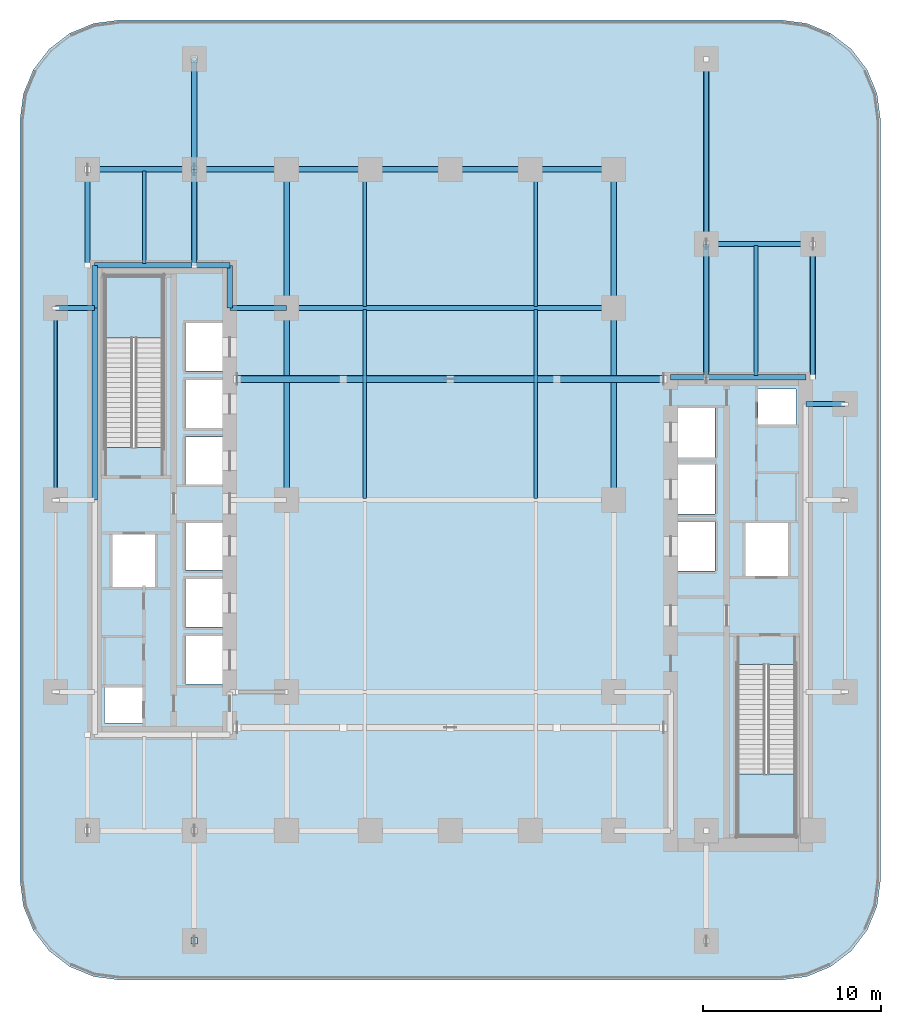
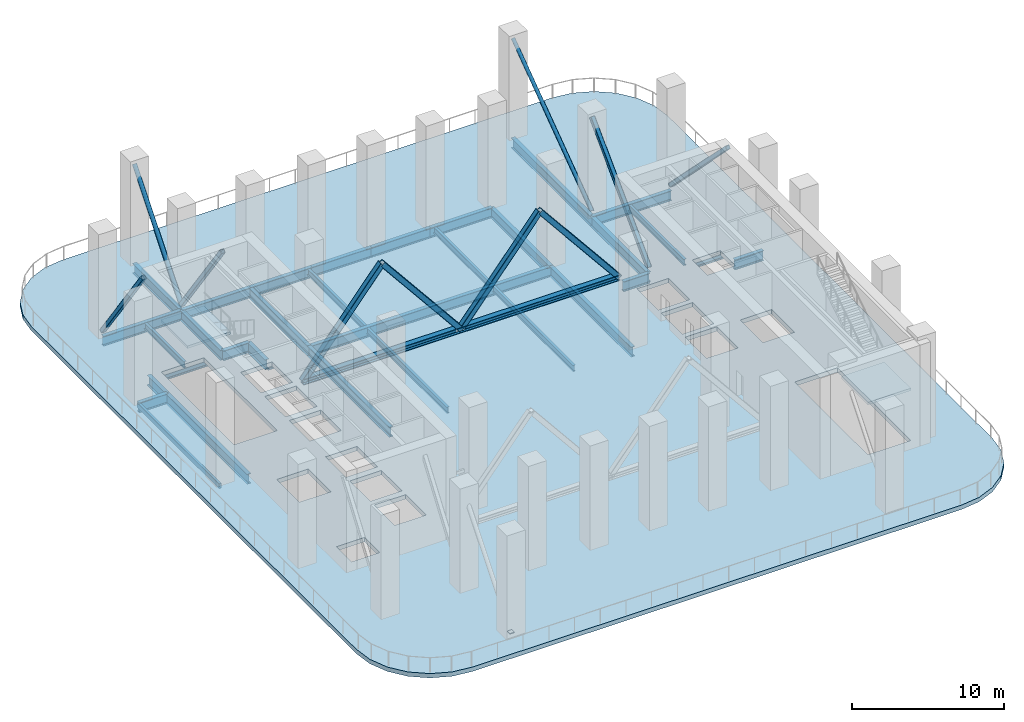
# One storey, part 2 of 13: 33 beams, 11 members, 3 slabs, 1 plate, 2 elements without a shape of their own.
"""IFC4 building model written with IfcOpenShell, lengths in metres."""

from ifc_helpers import new_model, si_unit, direction, frame, origin, origin_2d, place, context, subcontext, project, spatial, polyline, rectangle, hollow_rectangle, hollow_circle, i_section, outline, extrude, material, layer, layer_set, material_profile, profile_set, type_object, element, aggregate, save


model = new_model("IFC4")

# Units and contexts
model_context = context("Model", 3, precision=1e-05, world=origin(), true_north=direction((0.0, 1.0)))
body_context = subcontext(model_context, "Body", "Model", "MODEL_VIEW")
ifc_project = project(units=[si_unit("LENGTHUNIT", "METRE"), si_unit("AREAUNIT", "SQUARE_METRE"), si_unit("VOLUMEUNIT", "CUBIC_METRE"), si_unit("PLANEANGLEUNIT", "RADIAN"), si_unit("MASSUNIT", "GRAM", prefix="KILO")], contexts=[model_context])

# Site, building, storey
site_placement = place(None, origin())
site = spatial("IfcSite", under=ifc_project, at=site_placement, CompositionType="ELEMENT")
building_placement = place(site_placement, origin())
building = spatial("IfcBuilding", under=site, at=building_placement, Name="Khairoan Windgate Tower", CompositionType="ELEMENT")
storey_placement = place(building_placement, frame((0.0, 0.0, 84.800048828125)))
storey = spatial("IfcBuildingStorey", under=building, at=storey_placement, Name="L20", CompositionType="ELEMENT", Elevation=84.800048828125)

# Beams
ifc_material_1 = material(Name="Steel S355", Category="steel")
ifc_material_profile_1 = material_profile(ifc_material_1, i_section(OverallWidth=0.300048828125, OverallDepth=0.800048828125, WebThickness=0.013916015625, FlangeThickness=0.02587890625, FilletRadius=0.028076171875, at=origin_2d()))
ifc_profile_set_1 = profile_set([ifc_material_profile_1], Name="Steel S355")
beam_type_1 = type_object("IfcBeamType", Name="Beam B-G2 H800x300x14x26", PredefinedType="BEAM", material=ifc_profile_set_1)
beam_1_placement = place(storey_placement, frame((20.0, 5.39990234375, -0.75), z_axis=(1.0, 0.0, 0.0), x_axis=(0.0, 1.0, 0.0)))
element("IfcBeam", 1, at=beam_1_placement, inside=storey, type_object=beam_type_1, Name="L20 E-W Primary Girder 19", PredefinedType="BEAM", context=body_context, shape_type="SweptSolid", body=[
    extrude(i_section(OverallWidth=0.300048828125, OverallDepth=0.800048828125, WebThickness=0.013916015625, FlangeThickness=0.02587890625, FilletRadius=0.028076171875, at=origin_2d()), origin(), (0.0, 0.0, 1.0), 2.199951171875),
])
beam_2_placement = place(storey_placement, frame((12.39990234375, 6.89990234375, -0.75), z_axis=(1.0, 0.0, 0.0), x_axis=(0.0, 1.0, 0.0)))
element("IfcBeam", 2, at=beam_2_placement, inside=storey, type_object=beam_type_1, Name="L20 E-W Primary Girder 20", PredefinedType="BEAM", context=body_context, shape_type="SweptSolid", body=[
    extrude(i_section(OverallWidth=0.300048828125, OverallDepth=0.800048828125, WebThickness=0.013916015625, FlangeThickness=0.02587890625, FilletRadius=0.028076171875, at=origin_2d()), origin(), (0.0, 0.0, 1.0), 2.0),
])
beam_3_placement = place(storey_placement, frame((14.39990234375, 6.89990234375, -0.75), z_axis=(1.0, 0.0, 0.0), x_axis=(0.0, 1.0, 0.0)))
element("IfcBeam", 3, at=beam_3_placement, inside=storey, type_object=beam_type_1, Name="L20 E-W Primary Girder 21", PredefinedType="BEAM", context=body_context, shape_type="SweptSolid", body=[
    extrude(i_section(OverallWidth=0.300048828125, OverallDepth=0.800048828125, WebThickness=0.013916015625, FlangeThickness=0.02587890625, FilletRadius=0.028076171875, at=origin_2d()), origin(), (0.0, 0.0, 1.0), 5.60009765625),
])
beam_4_placement = place(storey_placement, frame((-22.199951171875, 10.800048828125, -0.75), z_axis=(1.0, 0.0, 0.0), x_axis=(0.0, 1.0, 0.0)))
element("IfcBeam", 4, at=beam_4_placement, inside=storey, type_object=beam_type_1, Name="L20 E-W Primary Girder 22", PredefinedType="BEAM", context=body_context, shape_type="SweptSolid", body=[
    extrude(i_section(OverallWidth=0.300048828125, OverallDepth=0.800048828125, WebThickness=0.013916015625, FlangeThickness=0.02587890625, FilletRadius=0.028076171875, at=origin_2d()), origin(), (0.0, 0.0, 1.0), 2.199951171875),
])
beam_5_placement = place(storey_placement, frame((-12.39990234375, 10.800048828125, -0.75), z_axis=(1.0, 0.0, 0.0), x_axis=(0.0, 1.0, 0.0)))
element("IfcBeam", 5, at=beam_5_placement, inside=storey, type_object=beam_type_1, Name="L20 E-W Primary Girder 23", PredefinedType="BEAM", context=body_context, shape_type="SweptSolid", body=[
    extrude(i_section(OverallWidth=0.300048828125, OverallDepth=0.800048828125, WebThickness=0.013916015625, FlangeThickness=0.02587890625, FilletRadius=0.028076171875, at=origin_2d()), origin(), (0.0, 0.0, 1.0), 3.199951171875),
])
beam_6_placement = place(storey_placement, frame((-9.199951171875, 10.800048828125, -0.75), z_axis=(1.0, 0.0, 0.0), x_axis=(0.0, 1.0, 0.0)))
element("IfcBeam", 6, at=beam_6_placement, inside=storey, type_object=beam_type_1, Name="L20 E-W Primary Girder 24", PredefinedType="BEAM", context=body_context, shape_type="SweptSolid", body=[
    extrude(i_section(OverallWidth=0.300048828125, OverallDepth=0.800048828125, WebThickness=0.013916015625, FlangeThickness=0.02587890625, FilletRadius=0.028076171875, at=origin_2d()), origin(), (0.0, 0.0, 1.0), 18.39990234375),
])
beam_7_placement = place(storey_placement, frame((-20.0, 13.199951171875, -0.75), z_axis=(1.0, 0.0, 0.0), x_axis=(0.0, 1.0, 0.0)))
element("IfcBeam", 7, at=beam_7_placement, inside=storey, type_object=beam_type_1, Name="L20 E-W Primary Girder 25", PredefinedType="BEAM", context=body_context, shape_type="SweptSolid", body=[
    extrude(i_section(OverallWidth=0.300048828125, OverallDepth=0.800048828125, WebThickness=0.013916015625, FlangeThickness=0.02587890625, FilletRadius=0.028076171875, at=origin_2d()), origin(), (0.0, 0.0, 1.0), 5.60009765625),
])
beam_8_placement = place(storey_placement, frame((-14.39990234375, 13.199951171875, -0.75), z_axis=(1.0, 0.0, 0.0), x_axis=(0.0, 1.0, 0.0)))
element("IfcBeam", 8, at=beam_8_placement, inside=storey, type_object=beam_type_1, Name="L20 E-W Primary Girder 26", PredefinedType="BEAM", context=body_context, shape_type="SweptSolid", body=[
    extrude(i_section(OverallWidth=0.300048828125, OverallDepth=0.800048828125, WebThickness=0.013916015625, FlangeThickness=0.02587890625, FilletRadius=0.028076171875, at=origin_2d()), origin(), (0.0, 0.0, 1.0), 2.0),
])
for number, where, z_axis, x_axis, name in (
    (9, (14.39990234375, 14.39990234375, -0.75), (1.0, 0.0, 0.0), (0.0, 1.0, 0.0), "L20 E-W Primary Girder 27"),
    (10, (-20.39990234375, 18.60009765625, -0.75), (1.0, 0.0, 0.0), (0.0, 1.0, 0.0), "L20 E-W Primary Girder 28"),
):
    element("IfcBeam", number, at=place(storey_placement, frame(where, z_axis=z_axis, x_axis=x_axis)), inside=storey, type_object=beam_type_1, Name=name, PredefinedType="BEAM", context=body_context, shape_type="SweptSolid", body=[
        extrude(i_section(OverallWidth=0.300048828125, OverallDepth=0.800048828125, WebThickness=0.013916015625, FlangeThickness=0.02587890625, FilletRadius=0.028076171875, at=origin_2d()), origin(), (0.0, 0.0, 1.0), 6.0),
    ])
beam_9_placement = place(storey_placement, frame((-14.39990234375, 18.60009765625, -0.75), z_axis=(1.0, 0.0, 0.0), x_axis=(0.0, 1.0, 0.0)))
element("IfcBeam", 11, at=beam_9_placement, inside=storey, type_object=beam_type_1, Name="L20 E-W Primary Girder 29", PredefinedType="BEAM", context=body_context, shape_type="SweptSolid", body=[
    extrude(i_section(OverallWidth=0.300048828125, OverallDepth=0.800048828125, WebThickness=0.013916015625, FlangeThickness=0.02587890625, FilletRadius=0.028076171875, at=origin_2d()), origin(), (0.0, 0.0, 1.0), 5.199951171875),
])
beam_10_placement = place(storey_placement, frame((-9.199951171875, 18.60009765625, -0.75), z_axis=(1.0, 0.0, 0.0), x_axis=(0.0, 1.0, 0.0)))
element("IfcBeam", 12, at=beam_10_placement, inside=storey, type_object=beam_type_1, Name="L20 E-W Primary Girder 30", PredefinedType="BEAM", context=body_context, shape_type="SweptSolid", body=[
    extrude(i_section(OverallWidth=0.300048828125, OverallDepth=0.800048828125, WebThickness=0.013916015625, FlangeThickness=0.02587890625, FilletRadius=0.028076171875, at=origin_2d()), origin(), (0.0, 0.0, 1.0), 4.699951171875),
])
for number, where, z_axis, x_axis, name in (
    (13, (-4.5, 18.60009765625, -0.75), (1.0, 0.0, 0.0), (0.0, 1.0, 0.0), "L20 E-W Primary Girder 31"),
    (14, (0.0, 18.60009765625, -0.75), (1.0, 0.0, 0.0), (0.0, 1.0, 0.0), "L20 E-W Primary Girder 32"),
):
    element("IfcBeam", number, at=place(storey_placement, frame(where, z_axis=z_axis, x_axis=x_axis)), inside=storey, type_object=beam_type_1, Name=name, PredefinedType="BEAM", context=body_context, shape_type="SweptSolid", body=[
        extrude(i_section(OverallWidth=0.300048828125, OverallDepth=0.800048828125, WebThickness=0.013916015625, FlangeThickness=0.02587890625, FilletRadius=0.028076171875, at=origin_2d()), origin(), (0.0, 0.0, 1.0), 4.5),
    ])
beam_11_placement = place(storey_placement, frame((4.5, 18.60009765625, -0.75), z_axis=(1.0, 0.0, 0.0), x_axis=(0.0, 1.0, 0.0)))
element("IfcBeam", 15, at=beam_11_placement, inside=storey, type_object=beam_type_1, Name="L20 E-W Primary Girder 33", PredefinedType="BEAM", context=body_context, shape_type="SweptSolid", body=[
    extrude(i_section(OverallWidth=0.300048828125, OverallDepth=0.800048828125, WebThickness=0.013916015625, FlangeThickness=0.02587890625, FilletRadius=0.028076171875, at=origin_2d()), origin(), (0.0, 0.0, 1.0), 4.699951171875),
])
beam_12_placement = place(storey_placement, frame((-20.0, 0.0, -0.75), z_axis=(0.0, 1.0, 0.0), x_axis=(-1.0, 0.0, 0.0)))
element("IfcBeam", 16, at=beam_12_placement, inside=storey, type_object=beam_type_1, Name="L20 N-S Primary Beam 38", PredefinedType="BEAM", context=body_context, shape_type="SweptSolid", body=[
    extrude(i_section(OverallWidth=0.300048828125, OverallDepth=0.800048828125, WebThickness=0.013916015625, FlangeThickness=0.02587890625, FilletRadius=0.028076171875, at=origin_2d()), origin(), (0.0, 0.0, 1.0), 10.800048828125),
])
beam_13_placement = place(storey_placement, frame((-20.0, 10.800048828125, -0.75), z_axis=(0.0, 1.0, 0.0), x_axis=(-1.0, 0.0, 0.0)))
element("IfcBeam", 17, at=beam_13_placement, inside=storey, type_object=beam_type_1, Name="L20 N-S Primary Beam 39", PredefinedType="BEAM", context=body_context, shape_type="SweptSolid", body=[
    extrude(i_section(OverallWidth=0.300048828125, OverallDepth=0.800048828125, WebThickness=0.013916015625, FlangeThickness=0.02587890625, FilletRadius=0.028076171875, at=origin_2d()), origin(), (0.0, 0.0, 1.0), 2.39990234375),
])
beam_14_placement = place(storey_placement, frame((-14.39990234375, 13.199951171875, -0.75), z_axis=(0.0, 1.0, 0.0), x_axis=(-1.0, 0.0, 0.0)))
element("IfcBeam", 18, at=beam_14_placement, inside=storey, type_object=beam_type_1, Name="L20 N-S Primary Beam 42", PredefinedType="BEAM", context=body_context, shape_type="SweptSolid", body=[
    extrude(i_section(OverallWidth=0.300048828125, OverallDepth=0.800048828125, WebThickness=0.013916015625, FlangeThickness=0.02587890625, FilletRadius=0.028076171875, at=origin_2d()), origin(), (0.0, 0.0, 1.0), 5.400146484375),
])
beam_15_placement = place(storey_placement, frame((-14.39990234375, 18.60009765625, -0.75), z_axis=(0.0, 1.0, 0.0), x_axis=(-1.0, 0.0, 0.0)))
element("IfcBeam", 19, at=beam_15_placement, inside=storey, type_object=beam_type_1, Name="L20 N-S Primary Beam 43", PredefinedType="BEAM", context=body_context, shape_type="SweptSolid", body=[
    extrude(i_section(OverallWidth=0.300048828125, OverallDepth=0.800048828125, WebThickness=0.013916015625, FlangeThickness=0.02587890625, FilletRadius=0.028076171875, at=origin_2d()), origin(), (0.0, 0.0, 1.0), 6.199951171875),
])
beam_16_placement = place(storey_placement, frame((-12.39990234375, 10.800048828125, -0.75), z_axis=(0.0, 1.0, 0.0), x_axis=(-1.0, 0.0, 0.0)))
element("IfcBeam", 20, at=beam_16_placement, inside=storey, type_object=beam_type_1, Name="L20 N-S Primary Beam 45", PredefinedType="BEAM", context=body_context, shape_type="SweptSolid", body=[
    extrude(i_section(OverallWidth=0.300048828125, OverallDepth=0.800048828125, WebThickness=0.013916015625, FlangeThickness=0.02587890625, FilletRadius=0.028076171875, at=origin_2d()), origin(), (0.0, 0.0, 1.0), 2.39990234375),
])
beam_17_placement = place(storey_placement, frame((-9.199951171875, 0.0, -0.75), z_axis=(0.0, 1.0, 0.0), x_axis=(-1.0, 0.0, 0.0)))
element("IfcBeam", 21, at=beam_17_placement, inside=storey, type_object=beam_type_1, Name="L20 N-S Primary Beam 48", PredefinedType="BEAM", context=body_context, shape_type="SweptSolid", body=[
    extrude(i_section(OverallWidth=0.300048828125, OverallDepth=0.800048828125, WebThickness=0.013916015625, FlangeThickness=0.02587890625, FilletRadius=0.028076171875, at=origin_2d()), origin(), (0.0, 0.0, 1.0), 10.800048828125),
])
beam_18_placement = place(storey_placement, frame((-9.199951171875, 10.800048828125, -0.75), z_axis=(0.0, 1.0, 0.0), x_axis=(-1.0, 0.0, 0.0)))
element("IfcBeam", 22, at=beam_18_placement, inside=storey, type_object=beam_type_1, Name="L20 N-S Primary Beam 49", PredefinedType="BEAM", context=body_context, shape_type="SweptSolid", body=[
    extrude(i_section(OverallWidth=0.300048828125, OverallDepth=0.800048828125, WebThickness=0.013916015625, FlangeThickness=0.02587890625, FilletRadius=0.028076171875, at=origin_2d()), origin(), (0.0, 0.0, 1.0), 7.800048828125),
])
beam_19_placement = place(storey_placement, frame((9.199951171875, 0.0, -0.75), z_axis=(0.0, 1.0, 0.0), x_axis=(-1.0, 0.0, 0.0)))
element("IfcBeam", 23, at=beam_19_placement, inside=storey, type_object=beam_type_1, Name="L20 N-S Primary Beam 52", PredefinedType="BEAM", context=body_context, shape_type="SweptSolid", body=[
    extrude(i_section(OverallWidth=0.300048828125, OverallDepth=0.800048828125, WebThickness=0.013916015625, FlangeThickness=0.02587890625, FilletRadius=0.028076171875, at=origin_2d()), origin(), (0.0, 0.0, 1.0), 10.800048828125),
])
beam_20_placement = place(storey_placement, frame((9.199951171875, 10.800048828125, -0.75), z_axis=(0.0, 1.0, 0.0), x_axis=(-1.0, 0.0, 0.0)))
element("IfcBeam", 24, at=beam_20_placement, inside=storey, type_object=beam_type_1, Name="L20 N-S Primary Beam 53", PredefinedType="BEAM", context=body_context, shape_type="SweptSolid", body=[
    extrude(i_section(OverallWidth=0.300048828125, OverallDepth=0.800048828125, WebThickness=0.013916015625, FlangeThickness=0.02587890625, FilletRadius=0.028076171875, at=origin_2d()), origin(), (0.0, 0.0, 1.0), 7.800048828125),
])
beam_21_placement = place(storey_placement, frame((14.39990234375, 6.89990234375, -0.75), z_axis=(0.0, 1.0, 0.0), x_axis=(-1.0, 0.0, 0.0)))
element("IfcBeam", 25, at=beam_21_placement, inside=storey, type_object=beam_type_1, Name="L20 N-S Primary Beam 56", PredefinedType="BEAM", context=body_context, shape_type="SweptSolid", body=[
    extrude(i_section(OverallWidth=0.300048828125, OverallDepth=0.800048828125, WebThickness=0.013916015625, FlangeThickness=0.02587890625, FilletRadius=0.028076171875, at=origin_2d()), origin(), (0.0, 0.0, 1.0), 7.5),
])
beam_22_placement = place(storey_placement, frame((14.39990234375, 14.39990234375, -0.75), z_axis=(0.0, 1.0, 0.0), x_axis=(-1.0, 0.0, 0.0)))
element("IfcBeam", 26, at=beam_22_placement, inside=storey, type_object=beam_type_1, Name="L20 N-S Primary Beam 57", PredefinedType="BEAM", context=body_context, shape_type="SweptSolid", body=[
    extrude(i_section(OverallWidth=0.300048828125, OverallDepth=0.800048828125, WebThickness=0.013916015625, FlangeThickness=0.02587890625, FilletRadius=0.028076171875, at=origin_2d()), origin(), (0.0, 0.0, 1.0), 10.400146484375),
])
ifc_material_2 = material(Name="Steel S355", Category="steel")
ifc_material_profile_2 = material_profile(ifc_material_2, i_section(OverallWidth=0.199951171875, OverallDepth=0.5, WebThickness=0.010009765625, FlangeThickness=0.01611328125, FilletRadius=0.02001953125, at=origin_2d()))
ifc_profile_set_2 = profile_set([ifc_material_profile_2], Name="Steel S355")
beam_type_2 = type_object("IfcBeamType", Name="Beam J-S2 H500x200x10x16", PredefinedType="JOIST", material=ifc_profile_set_2)
beam_23_placement = place(storey_placement, frame((-17.199951171875, 13.2900390625, -0.60009765625), z_axis=(0.0, 1.0, 0.0), x_axis=(-1.0, 0.0, 0.0)))
element("IfcBeam", 27, at=beam_23_placement, inside=storey, type_object=beam_type_2, Name="L20 Secondary Floor Joist 02", PredefinedType="JOIST", context=body_context, shape_type="SweptSolid", body=[
    extrude(i_section(OverallWidth=0.199951171875, OverallDepth=0.5, WebThickness=0.010009765625, FlangeThickness=0.01611328125, FilletRadius=0.02001953125, at=origin_2d()), origin(), (0.0, 0.0, 1.0), 5.219970703125),
])
beam_24_placement = place(storey_placement, frame((-4.800048828125, 0.090087890625, -0.60009765625), z_axis=(0.0, 1.0, 0.0), x_axis=(-1.0, 0.0, 0.0)))
element("IfcBeam", 28, at=beam_24_placement, inside=storey, type_object=beam_type_2, Name="L20 Secondary Floor Joist 05", PredefinedType="JOIST", context=body_context, shape_type="SweptSolid", body=[
    extrude(i_section(OverallWidth=0.199951171875, OverallDepth=0.5, WebThickness=0.010009765625, FlangeThickness=0.01611328125, FilletRadius=0.02001953125, at=origin_2d()), origin(), (0.0, 0.0, 1.0), 10.619873046875),
])
beam_25_placement = place(storey_placement, frame((-4.800048828125, 10.889892578125, -0.60009765625), z_axis=(0.0, 1.0, 0.0), x_axis=(-1.0, 0.0, 0.0)))
element("IfcBeam", 29, at=beam_25_placement, inside=storey, type_object=beam_type_2, Name="L20 Secondary Floor Joist 06", PredefinedType="JOIST", context=body_context, shape_type="SweptSolid", body=[
    extrude(i_section(OverallWidth=0.199951171875, OverallDepth=0.5, WebThickness=0.010009765625, FlangeThickness=0.01611328125, FilletRadius=0.02001953125, at=origin_2d()), origin(), (0.0, 0.0, 1.0), 7.6201171875),
])
beam_26_placement = place(storey_placement, frame((4.800048828125, 0.090087890625, -0.60009765625), z_axis=(0.0, 1.0, 0.0), x_axis=(-1.0, 0.0, 0.0)))
element("IfcBeam", 30, at=beam_26_placement, inside=storey, type_object=beam_type_2, Name="L20 Secondary Floor Joist 09", PredefinedType="JOIST", context=body_context, shape_type="SweptSolid", body=[
    extrude(i_section(OverallWidth=0.199951171875, OverallDepth=0.5, WebThickness=0.010009765625, FlangeThickness=0.01611328125, FilletRadius=0.02001953125, at=origin_2d()), origin(), (0.0, 0.0, 1.0), 10.619873046875),
])
beam_27_placement = place(storey_placement, frame((4.800048828125, 10.889892578125, -0.60009765625), z_axis=(0.0, 1.0, 0.0), x_axis=(-1.0, 0.0, 0.0)))
element("IfcBeam", 31, at=beam_27_placement, inside=storey, type_object=beam_type_2, Name="L20 Secondary Floor Joist 10", PredefinedType="JOIST", context=body_context, shape_type="SweptSolid", body=[
    extrude(i_section(OverallWidth=0.199951171875, OverallDepth=0.5, WebThickness=0.010009765625, FlangeThickness=0.01611328125, FilletRadius=0.02001953125, at=origin_2d()), origin(), (0.0, 0.0, 1.0), 7.6201171875),
])
beam_28_placement = place(storey_placement, frame((17.199951171875, 6.989990234375, -0.60009765625), z_axis=(0.0, 1.0, 0.0), x_axis=(-1.0, 0.0, 0.0)))
element("IfcBeam", 32, at=beam_28_placement, inside=storey, type_object=beam_type_2, Name="L20 Secondary Floor Joist 11", PredefinedType="JOIST", context=body_context, shape_type="SweptSolid", body=[
    extrude(i_section(OverallWidth=0.199951171875, OverallDepth=0.5, WebThickness=0.010009765625, FlangeThickness=0.01611328125, FilletRadius=0.02001953125, at=origin_2d()), origin(), (0.0, 0.0, 1.0), 7.320068359375),
])
ifc_material_3 = material(Name="Steel S355", Category="steel")
ifc_material_profile_3 = material_profile(ifc_material_3, hollow_rectangle(XDim=0.199951171875, YDim=0.39990234375, WallThickness=0.013916015625, InnerFilletRadius=0.013916015625, OuterFilletRadius=0.028076171875, at=origin_2d()))
ifc_profile_set_3 = profile_set([ifc_material_profile_3], Name="Steel S355")
beam_type_3 = type_object("IfcBeamType", Name="Beam SP-B1 RHS400x200x14", PredefinedType="SPANDREL", material=ifc_profile_set_3)
beam_29_placement = place(storey_placement, frame((-22.199951171875, 0.0, -0.550048828125), z_axis=(0.0, 1.0, 0.0), x_axis=(-1.0, 0.0, 0.0)))
element("IfcBeam", 33, at=beam_29_placement, inside=storey, type_object=beam_type_3, Name="L20 Spandrel Beam 35", PredefinedType="SPANDREL", context=body_context, shape_type="SweptSolid", body=[
    extrude(hollow_rectangle(XDim=0.199951171875, YDim=0.39990234375, WallThickness=0.013916015625, InnerFilletRadius=0.013916015625, OuterFilletRadius=0.028076171875, at=origin_2d()), origin(), (0.0, 0.0, 1.0), 10.800048828125),
])

# Members
ifc_material_4 = material(Name="Steel S355", Category="steel")
ifc_material_profile_4 = material_profile(ifc_material_4, hollow_rectangle(XDim=0.300048828125, YDim=0.300048828125, WallThickness=0.01611328125, InnerFilletRadius=0.01611328125, OuterFilletRadius=0.031982421875, at=origin_2d()))
ifc_profile_set_4 = profile_set([ifc_material_profile_4], Name="Steel S355")
member_type_1 = type_object("IfcMemberType", Name="Structural Member BR-BT1 SHS300x300x16", PredefinedType="BRACE", material=ifc_profile_set_4)
for number, where, z_axis, x_axis, name in (
    (34, (-20.39990234375, 13.199951171875, 7.58984375), (0.0, 0.580748810991, -0.814082808155), (0.0, 0.814082808155, 0.580748810991), "L20 Wing Belt-Truss Brace 02"),
    (35, (-14.39990234375, 13.199951171875, 7.58984375), (0.0, 0.580748810991, -0.814082808155), (0.0, 0.814082808155, 0.580748810991), "L20 Wing Belt-Truss Brace 04"),
):
    element("IfcMember", number, at=place(storey_placement, frame(where, z_axis=z_axis, x_axis=x_axis)), inside=storey, type_object=member_type_1, Name=name, PredefinedType="BRACE", context=body_context, shape_type="SweptSolid", body=[
        extrude(hollow_rectangle(XDim=0.300048828125, YDim=0.300048828125, WallThickness=0.01611328125, InnerFilletRadius=0.01611328125, OuterFilletRadius=0.031982421875, at=origin_2d()), origin(), (0.0, 0.0, 1.0), 9.298583984375),
    ])
for number, where, z_axis, x_axis, name in (
    (36, (14.39990234375, 6.89990234375, 0.02001953125), (0.0, 0.70382293206, 0.710375450242), (0.0, -0.710375450242, 0.70382293206), "L20 Wing Belt-Truss Brace 05"),
    (37, (20.39990234375, 6.89990234375, 7.58984375), (0.0, 0.70382293206, -0.710375450242), (0.0, 0.710375450242, 0.70382293206), "L20 Wing Belt-Truss Brace 06"),
):
    element("IfcMember", number, at=place(storey_placement, frame(where, z_axis=z_axis, x_axis=x_axis)), inside=storey, type_object=member_type_1, Name=name, PredefinedType="BRACE", context=body_context, shape_type="SweptSolid", body=[
        extrude(hollow_rectangle(XDim=0.300048828125, YDim=0.300048828125, WallThickness=0.01611328125, InnerFilletRadius=0.01611328125, OuterFilletRadius=0.031982421875, at=origin_2d()), origin(), (0.0, 0.0, 1.0), 10.656005859375),
    ])
ifc_material_5 = material(Name="Steel S355", Category="steel")
ifc_material_profile_5 = material_profile(ifc_material_5, hollow_circle(Radius=0.136474609375, WallThickness=0.012451171875, at=origin_2d()))
ifc_profile_set_5 = profile_set([ifc_material_profile_5], Name="Steel S355")
member_type_2 = type_object("IfcMemberType", Name="Structural Member BR-CN1 CHS273x12.5", PredefinedType="BRACE", material=ifc_profile_set_5)
member_1_placement = place(storey_placement, frame((14.39990234375, 14.39990234375, 0.02001953125), z_axis=(0.0, 0.808511142812, 0.588480867955), x_axis=(0.0, -0.588480867955, 0.808511142812)))
element("IfcMember", 38, at=member_1_placement, inside=storey, type_object=member_type_2, Name="L20 Portal Belt Tubular Brace BR-CN-2", PredefinedType="BRACE", context=body_context, shape_type="SweptSolid", body=[
    extrude(hollow_circle(Radius=0.136474609375, WallThickness=0.012451171875, at=origin_2d()), origin(), (0.0, 0.0, 1.0), 12.86328125),
])
ifc_material_6 = material(Name="Steel S355", Category="steel")
ifc_material_profile_6 = material_profile(ifc_material_6, hollow_circle(Radius=0.161865234375, WallThickness=0.01611328125, at=origin_2d()))
ifc_profile_set_6 = profile_set([ifc_material_profile_6], Name="Steel S355")
member_type_3 = type_object("IfcMemberType", Name="Structural Member BR-CR1 CHS323.9x16", PredefinedType="BRACE", material=ifc_profile_set_6)
member_2_placement = place(storey_placement, frame((-14.39990234375, 18.60009765625, 0.02001953125), z_axis=(0.0, 0.63363309604, 0.773633698595), x_axis=(0.0, -0.773633698595, 0.63363309604)))
element("IfcMember", 39, at=member_2_placement, inside=storey, type_object=member_type_3, Name="L20 Portal Belt Tubular Brace BR-CR-1", PredefinedType="BRACE", context=body_context, shape_type="SweptSolid", body=[
    extrude(hollow_circle(Radius=0.161865234375, WallThickness=0.01611328125, at=origin_2d()), origin(), (0.0, 0.0, 1.0), 9.78466796875),
])
ifc_material_7 = material(Name="Steel S355", Category="steel")
ifc_material_profile_7 = material_profile(ifc_material_7, hollow_rectangle(XDim=0.39990234375, YDim=0.39990234375, WallThickness=0.02001953125, InnerFilletRadius=0.02001953125, OuterFilletRadius=0.0400390625, at=origin_2d()))
ifc_profile_set_7 = profile_set([ifc_material_profile_7], Name="Steel S355")
member_type_4 = type_object("IfcMemberType", Name="Structural Member BR-OT1 SHS400x400x20", PredefinedType="BRACE", material=ifc_profile_set_7)
for number, where, z_axis, x_axis, name in (
    (40, (-12.0, 6.800048828125, 0.219970703125), (0.631351531338, 0.0, 0.775496772319), (0.0, 1.0, 0.0), "L20 Outrigger Diagonal Brace 05"),
    (41, (-6.0, 6.800048828125, 7.58984375), (0.631351531338, 0.0, -0.775496772319), (0.0, 1.0, 0.0), "L20 Outrigger Diagonal Brace 06"),
    (42, (0.0, 6.800048828125, 0.219970703125), (0.631351531338, 0.0, 0.775496772319), (0.0, 1.0, 0.0), "L20 Outrigger Diagonal Brace 07"),
    (43, (6.0, 6.800048828125, 7.58984375), (0.631351531338, 0.0, -0.775496772319), (0.0, 1.0, 0.0), "L20 Outrigger Diagonal Brace 08"),
):
    element("IfcMember", number, at=place(storey_placement, frame(where, z_axis=z_axis, x_axis=x_axis)), inside=storey, type_object=member_type_4, Name=name, PredefinedType="BRACE", context=body_context, shape_type="SweptSolid", body=[
        extrude(hollow_rectangle(XDim=0.39990234375, YDim=0.39990234375, WallThickness=0.02001953125, InnerFilletRadius=0.02001953125, OuterFilletRadius=0.0400390625, at=origin_2d()), origin(), (0.0, 0.0, 1.0), 9.50341796875),
    ])
ifc_material_8 = material(Name="Steel S355", Category="steel")
ifc_material_profile_8 = material_profile(ifc_material_8, i_section(OverallWidth=0.406982421875, OverallDepth=0.427978515625, WebThickness=0.02001953125, FlangeThickness=0.034912109375, FilletRadius=0.02197265625, at=origin_2d()))
ifc_profile_set_8 = profile_set([ifc_material_profile_8], Name="Steel S355")
member_type_5 = type_object("IfcMemberType", Name="Structural Member CHB-1 H428x407x20x35", PredefinedType="CHORD", material=ifc_profile_set_8)
member_3_placement = place(storey_placement, frame((-12.02001953125, 6.800048828125, 0.219970703125), z_axis=(1.0, 0.0, 0.0), x_axis=(0.0, 1.0, 0.0)))
element("IfcMember", 44, at=member_3_placement, inside=storey, type_object=member_type_5, Name="L20 Coupled Outrigger Bottom Tie Chord", PredefinedType="CHORD", context=body_context, shape_type="SweptSolid", body=[
    extrude(i_section(OverallWidth=0.406982421875, OverallDepth=0.427978515625, WebThickness=0.02001953125, FlangeThickness=0.034912109375, FilletRadius=0.02197265625, at=origin_2d()), origin(), (0.0, 0.0, 1.0), 24.0400390625),
])

# Plate
ifc_material_9 = material(Name="Steel S355", Category="steel")
ifc_layer_1 = layer(ifc_material_9, 0.0400390625, Name="Steel S355")
ifc_layer_set_1 = layer_set([ifc_layer_1], Name="Steel S355")
plate_type = type_object("IfcPlateType", Name="Hollow Section End-Cap Plate PL-CAP40", PredefinedType="SHEET", material=ifc_layer_set_1)
plate_placement = place(storey_placement, frame((-14.39990234375, -24.79052734375, 0.011474609375), z_axis=(0.0, 0.0, 1.0), x_axis=(0.0, 1.0, 0.0)))
element("IfcPlate", 45, at=plate_placement, inside=storey, type_object=plate_type, Name="BR-CR-2-L20 steel end-cap plate 1", PredefinedType="SHEET", context=body_context, shape_type="SweptSolid", body=[
    extrude(rectangle(XDim=0.343994140625, YDim=0.343994140625, at=origin_2d()), origin(), (0.0, 0.0, 1.0), 0.0400390625),
])

# Slab
ifc_material_10 = material(Name="Concrete C50/60", Category="concrete")
ifc_layer_2 = layer(ifc_material_10, 0.35009765625, Name="Concrete C50/60")
ifc_layer_set_2 = layer_set([ifc_layer_2], Name="Concrete C50/60")
slab_type_1 = type_object("IfcSlabType", Name="Outrigger Diaphragm Slab OS1 350mm", PredefinedType="FLOOR", material=ifc_layer_set_2)
slab_1_placement = place(storey_placement, frame((0.0, 0.0, -0.35009765625)))
element("IfcSlab", 46, at=slab_1_placement, inside=storey, type_object=slab_type_1, Name="L20 Structural Floor Slab", PredefinedType="FLOOR", context=body_context, shape_type="SweptSolid", body=[
    extrude(outline(polyline([(18.60009765625, -27.0), (20.04931640625, -26.80908203125), (21.39990234375, -26.249755859375), (22.559814453125, -25.35986328125), (23.44970703125, -24.199951171875), (24.00927734375, -22.849365234375), (24.199951171875, -21.39990234375), (24.199951171875, 21.39990234375), (24.00927734375, 22.849365234375), (23.44970703125, 24.199951171875), (22.559814453125, 25.35986328125), (21.39990234375, 26.249755859375), (20.04931640625, 26.80908203125), (18.60009765625, 27.0), (-18.60009765625, 27.0), (-20.04931640625, 26.80908203125), (-21.39990234375, 26.249755859375), (-22.559814453125, 25.35986328125), (-23.44970703125, 24.199951171875), (-24.00927734375, 22.849365234375), (-24.199951171875, 21.39990234375), (-24.199951171875, -21.39990234375), (-24.00927734375, -22.849365234375), (-23.44970703125, -24.199951171875), (-22.559814453125, -25.35986328125), (-21.39990234375, -26.249755859375), (-20.04931640625, -26.80908203125), (-18.60009765625, -27.0), (18.60009765625, -27.0)]), holes=[polyline([(16.14990234375, -9.260009765625), (16.14990234375, -18.89990234375), (19.419921875, -18.89990234375), (19.419921875, -9.260009765625), (16.14990234375, -9.260009765625)]), polyline([(-16.14990234375, 2.9599609375), (-16.14990234375, 12.60009765625), (-19.419921875, 12.60009765625), (-19.419921875, 2.9599609375), (-16.14990234375, 2.9599609375)]), polyline([(-14.89990234375, 7.25), (-12.5, 7.25), (-12.5, 9.949951171875), (-14.89990234375, 9.949951171875), (-14.89990234375, 7.25)]), polyline([(-14.89990234375, 4.050048828125), (-12.5, 4.050048828125), (-12.5, 6.75), (-14.89990234375, 6.75), (-14.89990234375, 4.050048828125)]), polyline([(-14.89990234375, 0.85009765625), (-12.5, 0.85009765625), (-12.5, 3.550048828125), (-14.89990234375, 3.550048828125), (-14.89990234375, 0.85009765625)]), polyline([(-14.89990234375, -3.949951171875), (-12.5, -3.949951171875), (-12.5, -1.25), (-14.89990234375, -1.25), (-14.89990234375, -3.949951171875)]), polyline([(-14.89990234375, -7.14990234375), (-12.5, -7.14990234375), (-12.5, -4.449951171875), (-14.89990234375, -4.449951171875), (-14.89990234375, -7.14990234375)]), polyline([(-14.89990234375, -10.35009765625), (-12.5, -10.35009765625), (-12.5, -7.64990234375), (-14.89990234375, -7.64990234375), (-14.89990234375, -10.35009765625)]), polyline([(12.5, 2.39990234375), (14.89990234375, 2.39990234375), (14.89990234375, 5.199951171875), (12.5, 5.199951171875), (12.5, 2.39990234375)]), polyline([(12.5, -0.800048828125), (14.89990234375, -0.800048828125), (14.89990234375, 2.0), (12.5, 2.0), (12.5, -0.800048828125)]), polyline([(12.5, -4.0), (14.89990234375, -4.0), (14.89990234375, -1.199951171875), (12.5, -1.199951171875), (12.5, -4.0)]), polyline([(16.60009765625, -4.300048828125), (19.0, -4.300048828125), (19.0, -1.300048828125), (16.60009765625, -1.300048828125), (16.60009765625, -4.300048828125)]), polyline([(-19.0, -4.89990234375), (-16.60009765625, -4.89990234375), (-16.60009765625, -1.89990234375), (-19.0, -1.89990234375), (-19.0, -4.89990234375)]), polyline([(-19.449951171875, -12.550048828125), (-17.31005859375, -12.550048828125), (-17.31005859375, -10.550048828125), (-19.449951171875, -10.550048828125), (-19.449951171875, -12.550048828125)]), polyline([(17.31005859375, 4.25), (19.449951171875, 4.25), (19.449951171875, 6.25), (17.31005859375, 6.25), (17.31005859375, 4.25)])]), origin(), (0.0, 0.0, 1.0), 0.35009765625),
])

# Stair, slab
ifc_material_11 = material(Name="Concrete C40/50", Category="concrete")
stair_type = type_object("IfcStairType", Name="Tower Core Dog-Leg Stair ST-T1 1560mm", PredefinedType="HALF_TURN_STAIR", material=ifc_material_11)
stair_1_placement = place(storey_placement, origin())
stair_1 = element("IfcStair", 47, at=stair_1_placement, inside=storey, type_object=stair_type, Name="L20 Stair ST1", PredefinedType="HALF_TURN_STAIR")
ifc_material_12 = material(Name="Concrete C40/50", Category="concrete")
ifc_layer_3 = layer(ifc_material_12, 0.199951171875, Name="Concrete C40/50")
ifc_layer_set_3 = layer_set([ifc_layer_3], Name="Concrete C40/50")
slab_type_2 = type_object("IfcSlabType", Name="Reinforced Concrete Stair Landing Slab STL-200", PredefinedType="LANDING", material=ifc_layer_set_3)
slab_2_placement = place(storey_placement, frame((0.0, 0.0, 4.0)))
slab_2 = element("IfcSlab", 48, at=slab_2_placement, type_object=slab_type_2, Name="ST1 landing 1", PredefinedType="LANDING", context=body_context, shape_type="SweptSolid", body=[
    extrude(outline(polyline([(16.14990234375, -15.419921875), (16.14990234375, -18.89990234375), (19.419921875, -18.89990234375), (19.419921875, -15.419921875), (16.14990234375, -15.419921875)])), origin(), (0.0, 0.0, 1.0), 0.199951171875),
])
aggregate(stair_1, [slab_2])

stair_2_placement = place(storey_placement, origin())
stair_2 = element("IfcStair", 49, at=stair_2_placement, inside=storey, type_object=stair_type, Name="L20 Stair ST2", PredefinedType="HALF_TURN_STAIR")
slab_3_placement = place(storey_placement, frame((0.0, 0.0, 4.0)))
slab_3 = element("IfcSlab", 50, at=slab_3_placement, type_object=slab_type_2, Name="ST2 landing 1", PredefinedType="LANDING", context=body_context, shape_type="SweptSolid", body=[
    extrude(outline(polyline([(-16.14990234375, 9.1201171875), (-16.14990234375, 12.60009765625), (-19.419921875, 12.60009765625), (-19.419921875, 9.1201171875), (-16.14990234375, 9.1201171875)])), origin(), (0.0, 0.0, 1.0), 0.199951171875),
])
aggregate(stair_2, [slab_3])

save(model, "model.ifc")
